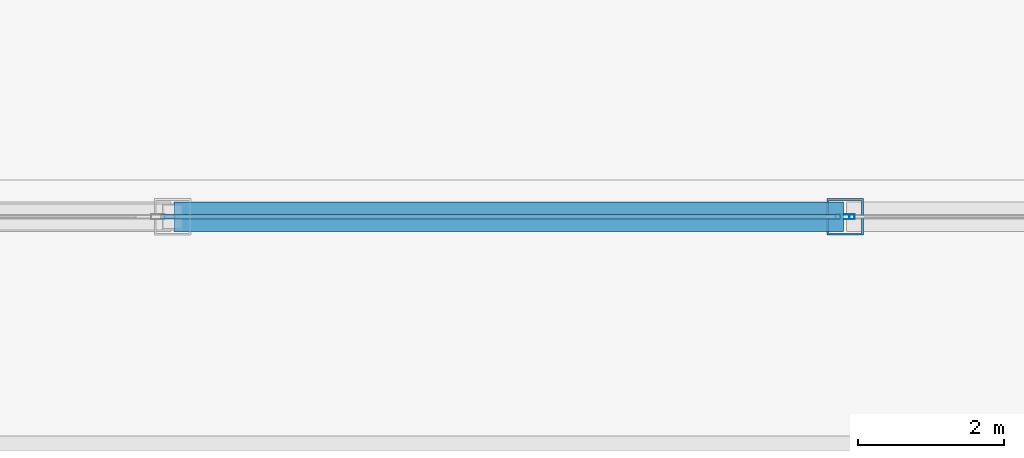
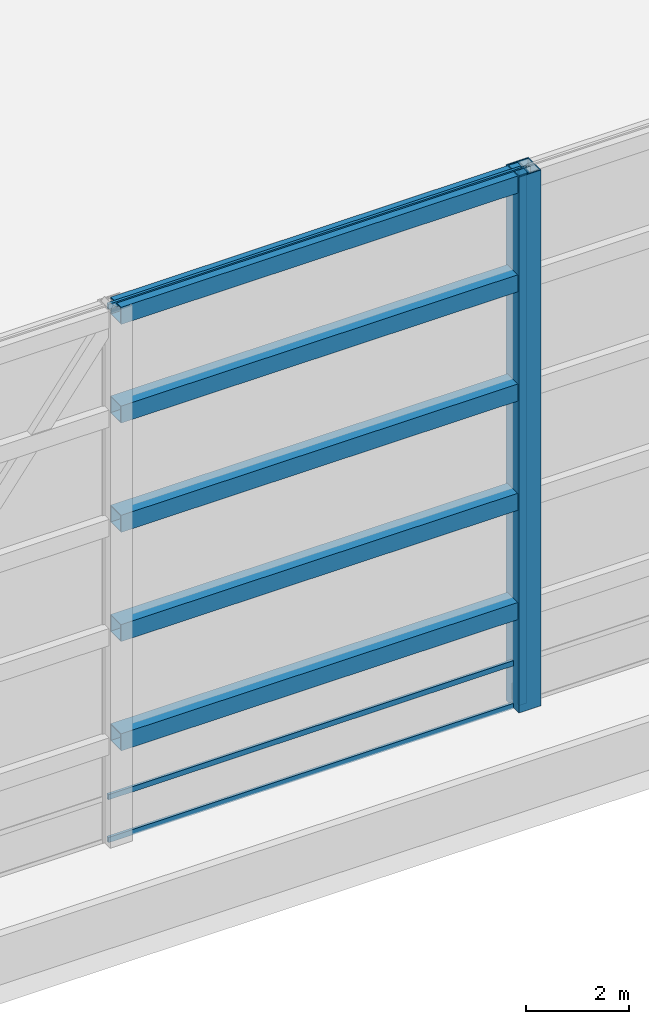
# One storey, part 5 of 23: 6 members, 5 beams, 2 elements without a shape of their own.
"""IFC4 building model written with IfcOpenShell, lengths in metres."""

from ifc_helpers import new_model, si_unit, direction, frame, origin, origin_2d, place, context, subcontext, project, spatial, hollow_rectangle, extrude, source, transform, mapped, material, layer, layer_set, material_profile, profile_set, type_object, type_shapes, element, aggregate, save


model = new_model("IFC4")

# Units and contexts
model_context = context("Model", 3, precision=1e-05, world=origin(), true_north=direction((0.0, 1.0)))
body_context = subcontext(model_context, "Body", "Model", "MODEL_VIEW")
ifc_project = project(units=[si_unit("LENGTHUNIT", "METRE"), si_unit("AREAUNIT", "SQUARE_METRE"), si_unit("VOLUMEUNIT", "CUBIC_METRE"), si_unit("PLANEANGLEUNIT", "RADIAN"), si_unit("MASSUNIT", "GRAM", prefix="KILO")], contexts=[model_context])

# Site, building, storey
site_placement = place(None, origin())
site = spatial("IfcSite", under=ifc_project, at=site_placement, CompositionType="ELEMENT")
building_placement = place(site_placement, origin())
building = spatial("IfcBuilding", under=site, at=building_placement, Name="Varnel Quay Broadcast Tower", CompositionType="ELEMENT")
storey_placement = place(building_placement, frame((0.0, 0.0, 319.800048828125)))
storey = spatial("IfcBuildingStorey", under=building, at=storey_placement, Name="Roof", CompositionType="ELEMENT", Elevation=319.800048828125)

# Member
ifc_material_1 = material(Name="Structural Steel CSA G40.21 350WT", Category="steel")
ifc_material_profile_1 = material_profile(ifc_material_1, hollow_rectangle(XDim=0.5, YDim=0.5, WallThickness=0.02490234375, at=origin_2d()), Name="BOX500X500X25")
ifc_profile_set_1 = profile_set([ifc_material_profile_1], Name="Structural Steel CSA G40.21 350WT")
member_type_1 = type_object("IfcMemberType", Name="CrownRingPost_BOX500", PredefinedType="POST", material=ifc_profile_set_1)
shared_shape_1 = source(origin(), body_context, "Body", "SweptSolid", [
    extrude(hollow_rectangle(XDim=0.5, YDim=0.5, WallThickness=0.02490234375, at=origin_2d()), origin(), (0.0, 0.0, 1.0), 12.75),
])
type_shapes(member_type_1, [shared_shape_1])
member_1_placement = place(storey_placement, frame((34.0, 16.39990234375, 0.0), z_axis=(0.0, 0.0, 1.0), x_axis=(1.0, 0.0, 0.0)))
element("IfcMember", 1, at=member_1_placement, inside=storey, type_object=member_type_1, Name="CROWN FRAME Ring Post 3", PredefinedType="POST", context=body_context, shape_type="MappedRepresentation", body=[
    mapped(shared_shape_1, transform((0.0, 0.0, 0.0), x_axis=(1.0, 0.0, 0.0), y_axis=(0.0, 1.0, 0.0), z_axis=(0.0, 0.0, 1.0), scale=1.0)),
])

# Beams
ifc_material_profile_2 = material_profile(ifc_material_1, hollow_rectangle(XDim=0.406005859375, YDim=0.406005859375, WallThickness=0.01611328125, at=origin_2d()), Name="HSS406X406X16")
ifc_profile_set_2 = profile_set([ifc_material_profile_2], Name="Structural Steel CSA G40.21 350WT")
beam_type = type_object("IfcBeamType", Name="CrownRingBeam_HSS406", PredefinedType="BEAM", material=ifc_profile_set_2)
shared_shape_2 = source(origin(), body_context, "Body", "SweptSolid", [
    extrude(hollow_rectangle(XDim=0.406005859375, YDim=0.406005859375, WallThickness=0.01611328125, at=origin_2d()), origin(), (0.0, 0.0, 1.0), 9.159912109375),
])
type_shapes(beam_type, [shared_shape_2])
for number, where, z_axis, x_axis, name in (
    (2, (24.820068359375, 16.39990234375, 2.39697265625), (1.0, 0.0, 0.0), (0.0, 1.0, 0.0), "CROWN FRAME Ring Tier 1 Beam 2"),
    (3, (24.820068359375, 16.39990234375, 4.9970703125), (1.0, 0.0, 0.0), (0.0, 1.0, 0.0), "CROWN FRAME Ring Tier 2 Beam 2"),
    (4, (24.820068359375, 16.39990234375, 7.596923828125), (1.0, 0.0, 0.0), (0.0, 1.0, 0.0), "CROWN FRAME Ring Tier 3 Beam 2"),
    (5, (24.820068359375, 16.39990234375, 10.197021484375), (1.0, 0.0, 0.0), (0.0, 1.0, 0.0), "CROWN FRAME Ring Tier 4 Beam 2"),
    (6, (24.820068359375, 16.39990234375, 12.546875), (1.0, 0.0, 0.0), (0.0, 1.0, 0.0), "CROWN FRAME Ring Tier 5 Beam 2"),
):
    element("IfcBeam", number, at=place(storey_placement, frame(where, z_axis=z_axis, x_axis=x_axis)), inside=storey, type_object=beam_type, Name=name, PredefinedType="BEAM", context=body_context, shape_type="MappedRepresentation", body=[
        mapped(shared_shape_2, transform((0.0, 0.0, 0.0), x_axis=(1.0, 0.0, 0.0), y_axis=(0.0, 1.0, 0.0), z_axis=(0.0, 0.0, 1.0), scale=1.0)),
    ])

# Curtain wall, member
ifc_material_2 = material(Name="Anodised Bronze Aluminium 6063-T6", Category="aluminium")
ifc_layer = layer(ifc_material_2, 0.18994140625, Name="Anodised Bronze Aluminium 6063-T6")
ifc_layer_set = layer_set([ifc_layer], Name="Anodised Bronze Aluminium 6063-T6")
curtain_wall_type = type_object("IfcCurtainWallType", Name="CW_CrownScreen", PredefinedType="NOTDEFINED", material=ifc_layer_set)
curtain_wall_1_placement = place(storey_placement, origin())
curtain_wall_1 = element("IfcCurtainWall", 7, at=curtain_wall_1_placement, inside=storey, type_object=curtain_wall_type, Name="Ring Crown Bronze Glazed Louvre Screen S1", PredefinedType="NOTDEFINED")
ifc_material_profile_3 = material_profile(ifc_material_2, hollow_rectangle(XDim=0.070068359375, YDim=0.18994140625, WallThickness=0.00390625, at=origin_2d()), Name="ALU70X190X4")
ifc_profile_set_3 = profile_set([ifc_material_profile_3], Name="Anodised Bronze Aluminium 6063-T6")
member_type_2 = type_object("IfcMemberType", Name="Mull_CWS-06", PredefinedType="MULLION", material=ifc_profile_set_3)
shared_shape_3 = source(origin(), body_context, "Body", "SweptSolid", [
    extrude(hollow_rectangle(XDim=0.070068359375, YDim=0.18994140625, WallThickness=0.00390625, at=origin_2d()), origin(), (0.0, 0.0, 1.0), 12.75),
])
type_shapes(member_type_2, [shared_shape_3])
member_2_placement = place(storey_placement, frame((33.965087890625, 16.39990234375, 0.0), z_axis=(0.0, 0.0, 1.0), x_axis=(0.0, 1.0, 0.0)))
member_2 = element("IfcMember", 8, at=member_2_placement, type_object=member_type_2, Name="CWS-06 mullion 3", PredefinedType="MULLION", context=body_context, shape_type="MappedRepresentation", body=[
    mapped(shared_shape_3, transform((0.0, 0.0, 0.0), x_axis=(1.0, 0.0, 0.0), y_axis=(0.0, 1.0, 0.0), z_axis=(0.0, 0.0, 1.0), scale=1.0)),
])

curtain_wall_2_placement = place(storey_placement, origin())
curtain_wall_2 = element("IfcCurtainWall", 9, at=curtain_wall_2_placement, inside=storey, type_object=curtain_wall_type, Name="Ring Crown Bronze Glazed Louvre Screen S2", PredefinedType="NOTDEFINED")
member_3_placement = place(storey_placement, frame((34.034912109375, 16.39990234375, 0.0), z_axis=(0.0, 0.0, 1.0), x_axis=(0.0, 1.0, 0.0)))
member_3 = element("IfcMember", 10, at=member_3_placement, type_object=member_type_2, Name="CWS-06 mullion 1", PredefinedType="MULLION", context=body_context, shape_type="MappedRepresentation", body=[
    mapped(shared_shape_3, transform((0.0, 0.0, 0.0), x_axis=(1.0, 0.0, 0.0), y_axis=(0.0, 1.0, 0.0), z_axis=(0.0, 0.0, 1.0), scale=1.0)),
])
aggregate(curtain_wall_2, [member_3])

# Member
ifc_material_profile_4 = material_profile(ifc_material_2, hollow_rectangle(XDim=0.06005859375, YDim=0.125, WallThickness=0.0029296875, at=origin_2d()), Name="ALU60X125X3")
ifc_profile_set_4 = profile_set([ifc_material_profile_4], Name="Anodised Bronze Aluminium 6063-T6")
member_type_3 = type_object("IfcMemberType", Name="Tran_CWS-06", PredefinedType="USERDEFINED", material=ifc_profile_set_4)
shared_shape_4 = source(origin(), body_context, "Body", "SweptSolid", [
    extrude(hollow_rectangle(XDim=0.06005859375, YDim=0.125, WallThickness=0.0029296875, at=origin_2d()), origin(), (0.0, 0.0, 1.0), 9.294921875),
])
type_shapes(member_type_3, [shared_shape_4])
member_4_placement = place(storey_placement, frame((24.635009765625, 16.39990234375, 0.030029296875), z_axis=(1.0, 0.0, 0.0), x_axis=(0.0, 1.0, 0.0)))
member_4 = element("IfcMember", 11, at=member_4_placement, type_object=member_type_3, Name="CWS-06 transom 2.1", ObjectType="TRANSOM", PredefinedType="USERDEFINED", context=body_context, shape_type="MappedRepresentation", body=[
    mapped(shared_shape_4, transform((0.0, 0.0, 0.0), x_axis=(1.0, 0.0, 0.0), y_axis=(0.0, 1.0, 0.0), z_axis=(0.0, 0.0, 1.0), scale=1.0)),
])

member_5_placement = place(storey_placement, frame((24.635009765625, 16.39990234375, 1.050048828125), z_axis=(1.0, 0.0, 0.0), x_axis=(0.0, 1.0, 0.0)))
member_5 = element("IfcMember", 12, at=member_5_placement, type_object=member_type_3, Name="CWS-06 transom 2.2", ObjectType="TRANSOM", PredefinedType="USERDEFINED", context=body_context, shape_type="MappedRepresentation", body=[
    mapped(shared_shape_4, transform((0.0, 0.0, 0.0), x_axis=(1.0, 0.0, 0.0), y_axis=(0.0, 1.0, 0.0), z_axis=(0.0, 0.0, 1.0), scale=1.0)),
])

member_6_placement = place(storey_placement, frame((24.635009765625, 16.39990234375, 12.719970703125), z_axis=(1.0, 0.0, 0.0), x_axis=(0.0, 1.0, 0.0)))
member_6 = element("IfcMember", 13, at=member_6_placement, type_object=member_type_3, Name="CWS-06 transom 2.3", ObjectType="TRANSOM", PredefinedType="USERDEFINED", context=body_context, shape_type="MappedRepresentation", body=[
    mapped(shared_shape_4, transform((0.0, 0.0, 0.0), x_axis=(1.0, 0.0, 0.0), y_axis=(0.0, 1.0, 0.0), z_axis=(0.0, 0.0, 1.0), scale=1.0)),
])

aggregate(curtain_wall_1, [member_2, member_4, member_5, member_6])

save(model, "model.ifc")
